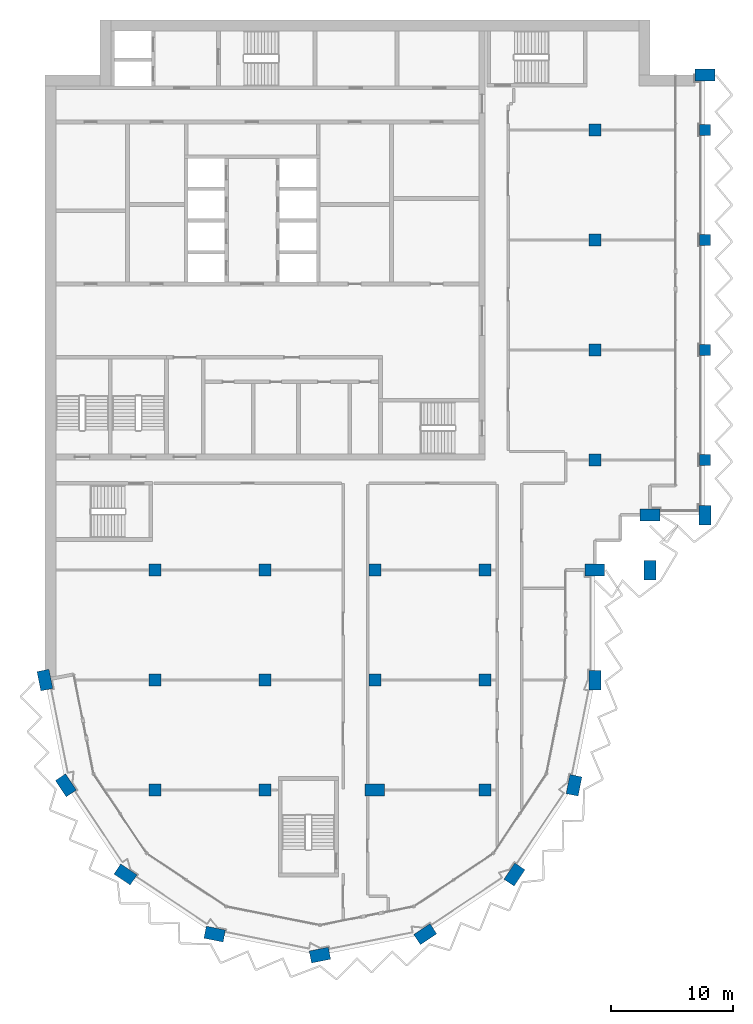
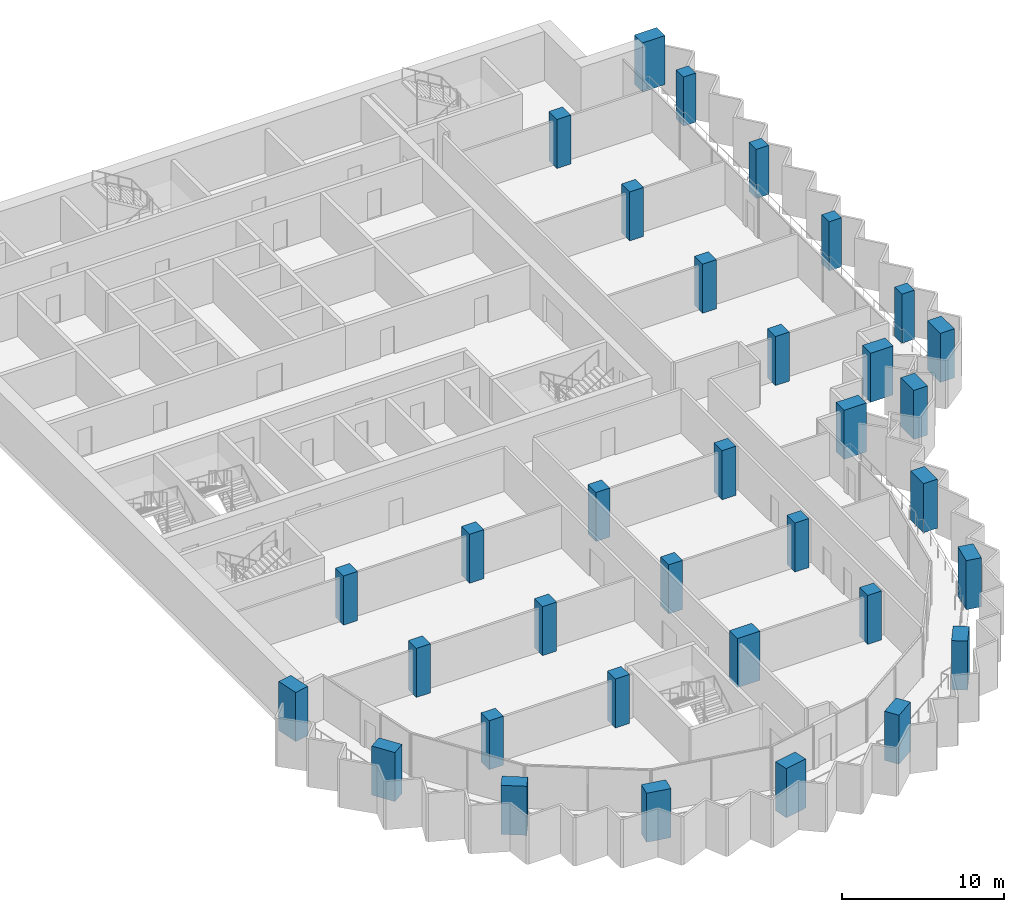
# One storey, part 1 of 15: 34 columns.
"""IFC4 building model written with IfcOpenShell, lengths in metres."""

from ifc_helpers import new_model, si_unit, direction, frame, origin, origin_2d, place, context, subcontext, project, spatial, rectangle, extrude, material, material_profile, profile_set, type_object, element, save


model = new_model("IFC4")

# Units and contexts
model_context = context("Model", 3, precision=1e-05, world=origin(), true_north=direction((0.0, 1.0)))
body_context = subcontext(model_context, "Body", "Model", "MODEL_VIEW")
ifc_project = project(units=[si_unit("LENGTHUNIT", "METRE"), si_unit("AREAUNIT", "SQUARE_METRE"), si_unit("VOLUMEUNIT", "CUBIC_METRE"), si_unit("PLANEANGLEUNIT", "RADIAN"), si_unit("MASSUNIT", "GRAM", prefix="KILO")], contexts=[model_context])

# Site, building, storey
site_placement = place(None, origin())
site = spatial("IfcSite", under=ifc_project, at=site_placement, CompositionType="ELEMENT")
building_placement = place(site_placement, origin())
building = spatial("IfcBuilding", under=site, at=building_placement, Name="Hunhe Ridgeline Campus", CompositionType="ELEMENT")
storey_placement = place(building_placement, frame((0.0, 0.0, 231.800048828125)))
storey = spatial("IfcBuildingStorey", under=building, at=storey_placement, Name="L59", CompositionType="ELEMENT", Elevation=231.800048828125)

# Columns
ifc_material = material(Name="Concrete C60", Category="concrete")
ifc_material_profile_1 = material_profile(ifc_material, rectangle(XDim=1.60009765625, YDim=1.0, at=origin_2d()))
ifc_profile_set_1 = profile_set([ifc_material_profile_1], Name="Concrete C60")
column_type_1 = type_object("IfcColumnType", Name="Megacolumn 1600x1000 Concrete C60", PredefinedType="COLUMN", material=ifc_profile_set_1)
for number, where, z_axis, x_axis, name in (
    (1, (22.5, 22.5, 0.0), (0.0, 0.0, 1.0), (0.980785280403, 0.195090322016, 0.0), "Column C14 R13 L59"),
    (2, (13.8896484375, 24.212646484375, 0.0), (0.0, 0.0, 1.0), (-0.980785280403, 0.195090322016, 0.0), "Column C14 R14 L59"),
    (3, (31.1103515625, 24.212646484375, 0.0), (0.0, 0.0, 1.0), (0.831469612303, 0.55557023302, 0.0), "Column C14 R15 L59"),
    (4, (6.590087890625, 29.090087890625, 0.0), (0.0, 0.0, 1.0), (-0.831469612303, 0.55557023302, 0.0), "Column C14 R18 L59"),
    (5, (38.409912109375, 29.090087890625, 0.0), (0.0, 0.0, 1.0), (0.55557023302, 0.831469612303, 0.0), "Column C14 R19 L59"),
    (6, (1.712646484375, 36.3896484375, 0.0), (0.0, 0.0, 1.0), (-0.55557023302, 0.831469612303, 0.0), "Column C14 R23 L59"),
    (7, (43.287353515625, 36.3896484375, 0.0), (0.0, 0.0, 1.0), (0.195090322016, 0.980785280403, 0.0), "Column C14 R24 L59"),
    (8, (0.0, 45.0, 0.0), (0.0, 0.0, 1.0), (-0.195090322016, 0.980785280403, 0.0), "Column C14 F1 L59"),
    (9, (45.0, 45.0, 0.0), (0.0, 0.0, 1.0), (0.0, 1.0, 0.0), "Column C14 F6 L59"),
    (10, (45.0, 54.0, 0.0), (0.0, 0.0, 1.0), (1.0, 0.0, 0.0), "Column C14 G6 L59"),
    (11, (49.5, 54.0, 0.0), (0.0, 0.0, 1.0), (0.0, 1.0, 0.0), "Column C14 R29 L59"),
    (12, (49.5, 58.5, 0.0), (0.0, 0.0, 1.0), (1.0, 0.0, 0.0), "Column C14 R33 L59"),
    (13, (54.0, 58.5, 0.0), (0.0, 0.0, 1.0), (0.0, 1.0, 0.0), "Column C14 R34 L59"),
    (14, (54.0, 94.5, 0.0), (0.0, 0.0, 1.0), (1.0, 0.0, 0.0), "Column C14 R41 L59"),
    (15, (27.0, 36.0, 0.0), (0.0, 0.0, 1.0), (1.0, 0.0, 0.0), "Column C14 E4 L59"),
):
    element("IfcColumn", number, at=place(storey_placement, frame(where, z_axis=z_axis, x_axis=x_axis)), inside=storey, type_object=column_type_1, Name=name, PredefinedType="COLUMN", context=body_context, shape_type="SweptSolid", body=[
        extrude(rectangle(XDim=1.60009765625, YDim=1.0, at=origin_2d()), origin(), (0.0, 0.0, 1.0), 3.699951171875),
    ])
ifc_material_profile_2 = material_profile(ifc_material, rectangle(XDim=1.0, YDim=1.0, at=origin_2d()))
ifc_profile_set_2 = profile_set([ifc_material_profile_2], Name="Concrete C60")
column_type_2 = type_object("IfcColumnType", Name="RC column 1000x1000 Concrete C60", PredefinedType="COLUMN", material=ifc_profile_set_2)
for number, where, z_axis, x_axis, name in (
    (16, (9.0, 36.0, 0.0), (0.0, 0.0, 1.0), (1.0, 0.0, 0.0), "Column C12 E2 L59"),
    (17, (9.0, 45.0, 0.0), (0.0, 0.0, 1.0), (1.0, 0.0, 0.0), "Column C12 F2 L59"),
    (18, (9.0, 54.0, 0.0), (0.0, 0.0, 1.0), (1.0, 0.0, 0.0), "Column C12 G2 L59"),
    (19, (18.0, 36.0, 0.0), (0.0, 0.0, 1.0), (1.0, 0.0, 0.0), "Column C12 E3 L59"),
    (20, (18.0, 45.0, 0.0), (0.0, 0.0, 1.0), (1.0, 0.0, 0.0), "Column C12 F3 L59"),
    (21, (18.0, 54.0, 0.0), (0.0, 0.0, 1.0), (1.0, 0.0, 0.0), "Column C12 G3 L59"),
    (22, (27.0, 45.0, 0.0), (0.0, 0.0, 1.0), (1.0, 0.0, 0.0), "Column C12 F4 L59"),
    (23, (27.0, 54.0, 0.0), (0.0, 0.0, 1.0), (1.0, 0.0, 0.0), "Column C12 G4 L59"),
    (24, (36.0, 36.0, 0.0), (0.0, 0.0, 1.0), (1.0, 0.0, 0.0), "Column C12 E5 L59"),
    (25, (36.0, 45.0, 0.0), (0.0, 0.0, 1.0), (1.0, 0.0, 0.0), "Column C12 F5 L59"),
    (26, (36.0, 54.0, 0.0), (0.0, 0.0, 1.0), (1.0, 0.0, 0.0), "Column C12 G5 L59"),
    (27, (45.0, 63.0, 0.0), (0.0, 0.0, 1.0), (1.0, 0.0, 0.0), "Column C12 H6 L59"),
    (28, (45.0, 72.0, 0.0), (0.0, 0.0, 1.0), (1.0, 0.0, 0.0), "Column C12 I6 L59"),
    (29, (45.0, 81.0, 0.0), (0.0, 0.0, 1.0), (1.0, 0.0, 0.0), "Column C12 J6 L59"),
    (30, (45.0, 90.0, 0.0), (0.0, 0.0, 1.0), (1.0, 0.0, 0.0), "Column C12 K6 L59"),
):
    element("IfcColumn", number, at=place(storey_placement, frame(where, z_axis=z_axis, x_axis=x_axis)), inside=storey, type_object=column_type_2, Name=name, PredefinedType="COLUMN", context=body_context, shape_type="SweptSolid", body=[
        extrude(rectangle(XDim=1.0, YDim=1.0, at=origin_2d()), origin(), (0.0, 0.0, 1.0), 3.699951171875),
    ])
ifc_material_profile_3 = material_profile(ifc_material, rectangle(XDim=0.89990234375, YDim=0.89990234375, at=origin_2d()))
ifc_profile_set_3 = profile_set([ifc_material_profile_3], Name="Concrete C60")
column_type_3 = type_object("IfcColumnType", Name="RC column 900x900 Concrete C60", PredefinedType="COLUMN", material=ifc_profile_set_3)
for number, where, z_axis, x_axis, name in (
    (31, (54.0, 63.0, 0.0), (0.0, 0.0, 1.0), (1.0, 0.0, 0.0), "Column C15 H7 L59"),
    (32, (54.0, 72.0, 0.0), (0.0, 0.0, 1.0), (1.0, 0.0, 0.0), "Column C15 I7 L59"),
    (33, (54.0, 81.0, 0.0), (0.0, 0.0, 1.0), (1.0, 0.0, 0.0), "Column C15 J7 L59"),
    (34, (54.0, 90.0, 0.0), (0.0, 0.0, 1.0), (1.0, 0.0, 0.0), "Column C15 K7 L59"),
):
    element("IfcColumn", number, at=place(storey_placement, frame(where, z_axis=z_axis, x_axis=x_axis)), inside=storey, type_object=column_type_3, Name=name, PredefinedType="COLUMN", context=body_context, shape_type="SweptSolid", body=[
        extrude(rectangle(XDim=0.89990234375, YDim=0.89990234375, at=origin_2d()), origin(), (0.0, 0.0, 1.0), 3.699951171875),
    ])

save(model, "model.ifc")
